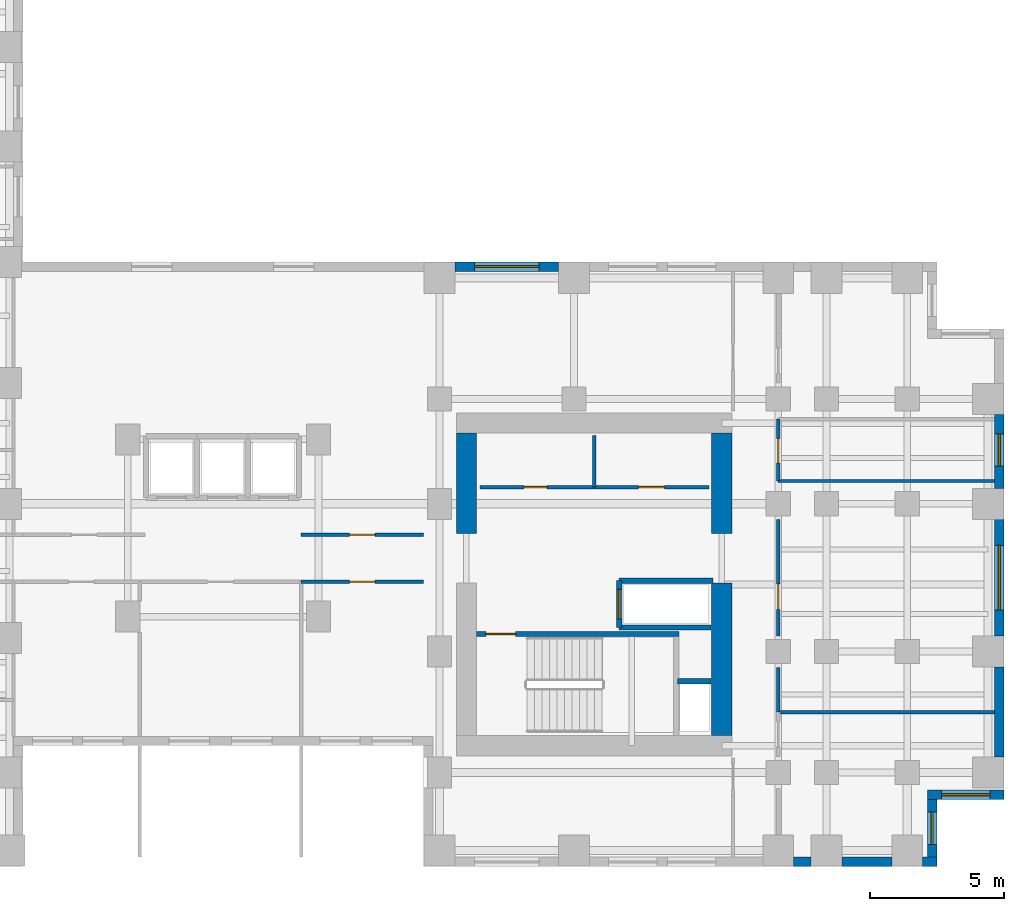
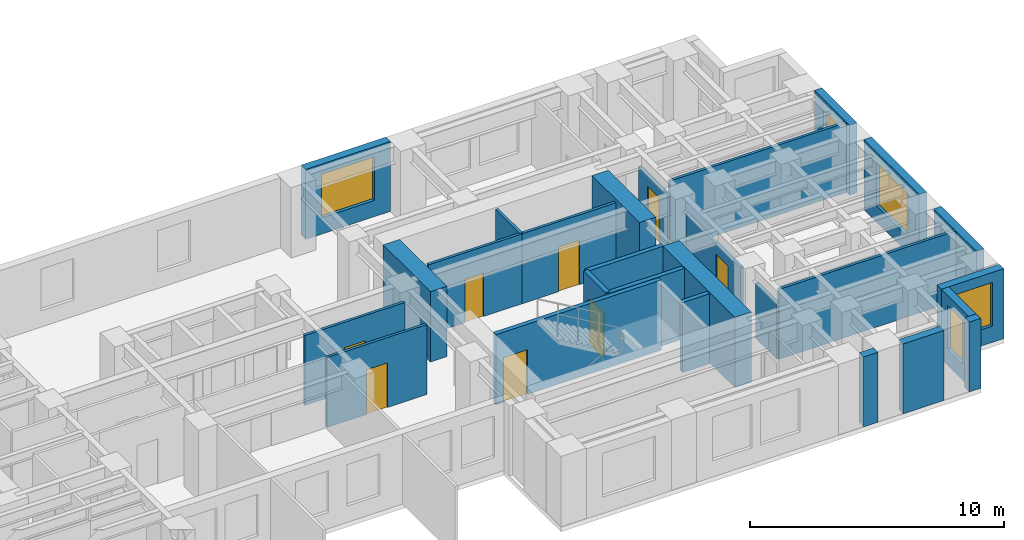
# One storey, part 7 of 11: 27 walls, 8 doors, 5 windows, 13 openings.
"""IFC4 building model written with IfcOpenShell, lengths in metres."""

import ifcopenshell
import ifcopenshell.guid

model = None  # the IFC model being written
_history = None  # IfcOwnerHistory: only IFC2X3 demands one
_inside = {}  # id of a spatial element -> (the spatial element, [elements in it])
_under = {}  # id of a project, library or spatial element -> (it, [spatial elements below it])
_declared = {}  # id of a project -> (the project, [libraries it declares])
_typed = {}  # id of a type object -> (the type object, [elements of that type])
_made_of = {}  # id of a material, layer set ... -> (it, [elements and type objects made of it])


def new_model(schema):
    """Start an empty IFC model of exactly this schema.

    Asked for "IFC4X3", IfcOpenShell would pick the latest addendum, in which some entities
    have other attributes; the version numbers below select the first issue.
    IFC2X3 requires an IfcOwnerHistory on every rooted entity: one is made here for all.
    """
    global model, _history
    if schema == "IFC4X3":
        model = ifcopenshell.file(schema_version=(4, 3, 0, 0))
    else:
        model = ifcopenshell.file(schema=schema)
    _inside.clear()
    _under.clear()
    _declared.clear()
    _typed.clear()
    _made_of.clear()
    _history = None
    if model.schema == "IFC2X3":
        org = make("IfcOrganization", Name="unknown")
        user = make(
            "IfcPersonAndOrganization",
            ThePerson=make("IfcPerson", FamilyName="unknown"),
            TheOrganization=org,
        )
        app = make(
            "IfcApplication",
            ApplicationDeveloper=org,
            Version="unknown",
            ApplicationFullName="unknown",
            ApplicationIdentifier="unknown",
        )
        _history = make(
            "IfcOwnerHistory",
            OwningUser=user,
            OwningApplication=app,
            ChangeAction="ADDED",
            CreationDate=0,
        )
    return model


def make(cls, **values):
    """One entity of the class cls with the attributes given. An attribute that is None is left unset."""
    return model.create_entity(
        cls, **{name: value for name, value in values.items() if value is not None}
    )


def rooted(cls, **values):
    """An entity with a GlobalId (a new one), such as an element, a storey or a relation."""
    return make(cls, GlobalId=ifcopenshell.guid.new(), OwnerHistory=_history, **values)


def si_unit(unit_type, name, prefix=None):
    """IfcSIUnit, for example si_unit("LENGTHUNIT", "METRE", prefix="MILLI")."""
    return make("IfcSIUnit", UnitType=unit_type, Prefix=prefix, Name=name)


def assignment(units):
    """IfcUnitAssignment: the units of a project."""
    return None if units is None else make("IfcUnitAssignment", Units=units)


def point(xyz):
    """IfcCartesianPoint."""
    return None if xyz is None else make("IfcCartesianPoint", Coordinates=xyz)


def direction(xyz):
    """IfcDirection."""
    return None if xyz is None else make("IfcDirection", DirectionRatios=xyz)


def frame(location, z_axis=None, x_axis=None):
    """IfcAxis2Placement3D, a coordinate frame: its origin and axes. An axis left out is left unset."""
    return make(
        "IfcAxis2Placement3D",
        Location=point(location),
        Axis=direction(z_axis),
        RefDirection=direction(x_axis),
    )


def frame_2d(location, x_axis=None):
    """IfcAxis2Placement2D, a coordinate frame in the plane: its origin and x axis."""
    return make(
        "IfcAxis2Placement2D", Location=point(location), RefDirection=direction(x_axis)
    )


def origin():
    """The frame at (0, 0, 0) with its axes left unset."""
    return frame((0.0, 0.0, 0.0))


def place(relative_to, where):
    """IfcLocalPlacement: puts the frame where relative to a parent placement (None: the world)."""
    return make(
        "IfcLocalPlacement", PlacementRelTo=relative_to, RelativePlacement=where
    )


def context(
    kind, dimensions, precision=None, world=None, true_north=None, identifier=None
):
    """IfcGeometricRepresentationContext, for example the 3D "Model" context."""
    return make(
        "IfcGeometricRepresentationContext",
        ContextIdentifier=identifier,
        ContextType=kind,
        CoordinateSpaceDimension=dimensions,
        Precision=precision,
        WorldCoordinateSystem=world,
        TrueNorth=true_north,
    )


def subcontext(parent, identifier, kind, view, scale=None):
    """IfcGeometricRepresentationSubContext, for example "Body" below "Model"."""
    return make(
        "IfcGeometricRepresentationSubContext",
        ContextIdentifier=identifier,
        ContextType=kind,
        ParentContext=parent,
        TargetScale=scale,
        TargetView=view,
    )


def project(units=None, contexts=None):
    """IfcProject with its units and contexts."""
    return rooted(
        "IfcProject",
        Name="project",
        RepresentationContexts=contexts,
        UnitsInContext=assignment(units),
    )


def spatial(cls, under=None, at=None, **own):
    """A site, building, storey or space (cls), placed at a placement, below another one or the project."""
    s = rooted(cls, ObjectPlacement=at, **own)
    if under is not None:
        _under.setdefault(under.id(), (under, []))[1].append(s)
    return s


def profile(cls, at=None, kind="AREA", **sizes):
    """A parametric profile (cls). Its sizes go by their IFC names, for example OverallWidth=200.0."""
    return make(cls, ProfileType=kind, Position=at, **sizes)


def rectangle(**sizes):
    """IfcRectangleProfileDef."""
    return profile("IfcRectangleProfileDef", **sizes)


def extrude(swept, where, along, depth):
    """IfcExtrudedAreaSolid: the profile swept, set in the frame where, extruded along a direction by depth."""
    return make(
        "IfcExtrudedAreaSolid",
        SweptArea=swept,
        Position=where,
        ExtrudedDirection=direction(along),
        Depth=depth,
    )


def shape(context_of_items, identifier, shape_type, items):
    """IfcShapeRepresentation: the items that make up one representation, for example the "Body"."""
    return make(
        "IfcShapeRepresentation",
        ContextOfItems=context_of_items,
        RepresentationIdentifier=identifier,
        RepresentationType=shape_type,
        Items=items,
    )


def source(mapping_origin, context_of_items, identifier, shape_type, items):
    """IfcRepresentationMap: a shape defined once, which mapped items show again and again."""
    return make(
        "IfcRepresentationMap",
        MappingOrigin=mapping_origin,
        MappedRepresentation=shape(context_of_items, identifier, shape_type, items),
    )


def transform(
    local_origin,
    x_axis=None,
    y_axis=None,
    z_axis=None,
    scale=None,
    scale2=None,
    scale3=None,
    uniform=True,
):
    """IfcCartesianTransformationOperator3D, or its non-uniform kind. x_axis, y_axis, z_axis: its Axis1, 2, 3."""
    if uniform:
        return make(
            "IfcCartesianTransformationOperator3D",
            Axis1=direction(x_axis),
            Axis2=direction(y_axis),
            LocalOrigin=point(local_origin),
            Scale=scale,
            Axis3=direction(z_axis),
        )
    return make(
        "IfcCartesianTransformationOperator3DnonUniform",
        Axis1=direction(x_axis),
        Axis2=direction(y_axis),
        LocalOrigin=point(local_origin),
        Scale=scale,
        Axis3=direction(z_axis),
        Scale2=scale2,
        Scale3=scale3,
    )


def mapped(mapping_source, mapping_target):
    """IfcMappedItem: shows the shape of a source again, moved by a transform."""
    return make(
        "IfcMappedItem", MappingSource=mapping_source, MappingTarget=mapping_target
    )


def material(Name=None, Category=None):
    """IfcMaterial."""
    return make("IfcMaterial", Name=Name, Category=Category)


def layer(
    of_material, thickness, ventilated=None, Name=None, Category=None, Priority=None
):
    """IfcMaterialLayer: one layer of a wall or slab, of a material (None: an air gap)."""
    return make(
        "IfcMaterialLayer",
        Material=of_material,
        LayerThickness=thickness,
        IsVentilated=ventilated,
        Name=Name,
        Category=Category,
        Priority=Priority,
    )


def layer_set(layers, Name=None):
    """IfcMaterialLayerSet."""
    return make("IfcMaterialLayerSet", MaterialLayers=layers, LayerSetName=Name)


def made_of(thing, what):
    """Note that an element or type object is made of a material, layer set ...; save() writes the relation."""
    if what is not None:
        _made_of.setdefault(what.id(), (what, []))[1].append(thing)
    return thing


def type_object(cls, material=None, **own):
    """A type object (cls), such as IfcWallType, which elements share."""
    return made_of(rooted(cls, **own), material)


def element(
    cls,
    number,
    at=None,
    inside=None,
    cuts=None,
    type_object=None,
    material=None,
    context=None,
    identifier="Body",
    shape_type=None,
    held_by="IfcProductDefinitionShape",
    body=None,
    shapes=None,
    **own,
):
    """One element of the class cls, such as IfcWall. Its Tag is "e" and its number.

    at: its placement. inside: the storey or other place that contains it. cuts: it is an
    opening in that element (IfcRelVoidsElement). A single representation is given by context,
    identifier, shape_type and body (its items); several are given by shapes. held_by: the class
    of the entity that holds the representations. save() writes the other relations.
    """
    e = rooted(cls, Tag="e%d" % number, ObjectPlacement=at, **own)
    if body is not None:
        shapes = [shape(context, identifier, shape_type, body)]
    if shapes is not None:
        e.Representation = make(held_by, Representations=shapes)
    if inside is not None:
        _inside.setdefault(inside.id(), (inside, []))[1].append(e)
    if cuts is not None:
        rooted(
            "IfcRelVoidsElement", RelatingBuildingElement=cuts, RelatedOpeningElement=e
        )
    if type_object is not None:
        _typed.setdefault(type_object.id(), (type_object, []))[1].append(e)
    return made_of(e, material)


def fill(opening, filler):
    """IfcRelFillsElement: the door or window that sits in an opening."""
    return rooted(
        "IfcRelFillsElement",
        RelatingOpeningElement=opening,
        RelatedBuildingElement=filler,
    )


def aggregate(whole, parts):
    """IfcRelAggregates: a whole, such as a stair, and the parts it consists of."""
    return rooted("IfcRelAggregates", RelatingObject=whole, RelatedObjects=parts)


def save(model, path):
    """Write the relations noted so far, then the file.

    IfcRelAggregates (storeys below a building ...), IfcRelContainedInSpatialStructure (elements
    in a storey), IfcRelDefinesByType, IfcRelAssociatesMaterial and IfcRelDeclares: one each for
    every whole, place, type object, material and project.
    """
    for whole, parts in _under.values():
        aggregate(whole, parts)
    for where, things in _inside.values():
        rooted(
            "IfcRelContainedInSpatialStructure",
            RelatedElements=things,
            RelatingStructure=where,
        )
    for kind, things in _typed.values():
        rooted("IfcRelDefinesByType", RelatedObjects=things, RelatingType=kind)
    for what, things in _made_of.values():
        rooted("IfcRelAssociatesMaterial", RelatedObjects=things, RelatingMaterial=what)
    for by, libraries in _declared.values():
        rooted("IfcRelDeclares", RelatingContext=by, RelatedDefinitions=libraries)
    model.write(path)


model = new_model("IFC4")

# Units and contexts
model_context = context("Model", 3, precision=1e-05, world=origin(), true_north=direction((0.0, 1.0)))
body_context = subcontext(model_context, "Body", "Model", "MODEL_VIEW")
ifc_project = project(units=[si_unit("LENGTHUNIT", "METRE"), si_unit("AREAUNIT", "SQUARE_METRE"), si_unit("VOLUMEUNIT", "CUBIC_METRE"), si_unit("PLANEANGLEUNIT", "RADIAN"), si_unit("MASSUNIT", "GRAM", prefix="KILO")], contexts=[model_context])

# Site, building, storey
site_placement = place(None, origin())
site = spatial("IfcSite", under=ifc_project, at=site_placement, CompositionType="ELEMENT")
building_placement = place(site_placement, origin())
building = spatial("IfcBuilding", under=site, at=building_placement, Name="Kharzan Plaza Tower", CompositionType="ELEMENT")
storey_placement = place(building_placement, frame((0.0, 0.0, 84.60009765625)))
storey = spatial("IfcBuildingStorey", under=building, at=storey_placement, Name="L22", CompositionType="ELEMENT", Elevation=84.60009765625)

# Wall, opening, window
ifc_material_1 = material(Name="Concrete C40/50", Category="concrete")
ifc_layer_1 = layer(ifc_material_1, 0.35009765625)
ifc_layer_set_1 = layer_set([ifc_layer_1], Name="Concrete C40/50")
wall_type_1 = type_object("IfcWallType", Name="WL-EXT-MAS-Z2", PredefinedType="SOLIDWALL", material=ifc_layer_set_1)
wall_1_placement = place(storey_placement, frame((53.324951171875, 0.347900390625, 0.0), z_axis=(0.0, 0.0, 1.0), x_axis=(0.0, 1.0, 0.0)))
wall_1 = element("IfcWall", 1, at=wall_1_placement, inside=storey, type_object=wall_type_1, Name="L22 Masonry-Frame Exterior Wall 35", PredefinedType="SOLIDWALL", context=body_context, shape_type="SweptSolid", body=[
    extrude(rectangle(XDim=2.154052734375, YDim=0.35009765625, at=frame_2d((1.0771484375, 0.0))), origin(), (0.0, 0.0, 1.0), 3.364990234375),
])
opening_1_placement = place(wall_1_placement, frame((0.47705078125, 0.0, 0.780029296875)))
opening_1 = element("IfcOpeningElement", 2, at=opening_1_placement, cuts=wall_1, Name="Opening W3", PredefinedType="OPENING", context=body_context, shape_type="SweptSolid", body=[
    extrude(rectangle(XDim=1.199951171875, YDim=2.10009765625, at=frame_2d((0.60009765625, 1.050048828125))), frame((0.0, 0.18505859375, 0.0), z_axis=(0.0, -1.0, 0.0), x_axis=(1.0, 0.0, 0.0)), (0.0, 0.0, 1.0), 0.3701171875),
])
ifc_material_2 = material(Name="Low-E Double Glazing", Category="glass")
window_type_1 = type_object("IfcWindowType", Name="WN-REC-1200x2100", PartitioningType="SINGLE_PANEL", PredefinedType="WINDOW", material=ifc_material_2)
shared_shape_1 = source(origin(), body_context, "Body", "SweptSolid", [
    extrude(rectangle(XDim=1.199951171875, YDim=2.10009765625, at=frame_2d((0.60009765625, 1.050048828125))), frame((0.0, 0.030029296875, 0.0), z_axis=(0.0, -1.0, 0.0), x_axis=(1.0, 0.0, 0.0)), (0.0, 0.0, 1.0), 0.06005859375),
])
window_1_placement = place(opening_1_placement, origin())
window_1 = element("IfcWindow", 3, at=window_1_placement, inside=storey, type_object=window_type_1, Name="L22 Recessed Solar-Control Window 35-1", OverallHeight=2.10009765625, OverallWidth=1.199951171875, PartitioningType="SINGLE_PANEL", PredefinedType="WINDOW", context=body_context, shape_type="MappedRepresentation", body=[
    mapped(shared_shape_1, transform((0.0, 0.0, 0.0), x_axis=(1.0, 0.0, 0.0), y_axis=(0.0, 1.0, 0.0), z_axis=(0.0, 0.0, 1.0))),
])
fill(opening_1, window_1)

wall_2_placement = place(storey_placement, frame((53.14990234375, 2.675048828125, 0.0), z_axis=(0.0, 0.0, 1.0), x_axis=(1.0, 0.0, 0.0)))
wall_2 = element("IfcWall", 4, at=wall_2_placement, inside=storey, type_object=wall_type_1, Name="L22 Masonry-Frame Exterior Wall 36", PredefinedType="SOLIDWALL", context=body_context, shape_type="SweptSolid", body=[
    extrude(rectangle(XDim=2.85009765625, YDim=0.35009765625, at=frame_2d((1.425048828125, 0.0))), origin(), (0.0, 0.0, 1.0), 3.364990234375),
])
opening_2_placement = place(wall_2_placement, frame((0.52490234375, 0.0, 0.780029296875)))
opening_2 = element("IfcOpeningElement", 5, at=opening_2_placement, cuts=wall_2, Name="Opening W1", PredefinedType="OPENING", context=body_context, shape_type="SweptSolid", body=[
    extrude(rectangle(XDim=1.800048828125, YDim=2.10009765625, at=frame_2d((0.89990234375, 1.050048828125))), frame((0.0, 0.18505859375, 0.0), z_axis=(0.0, -1.0, 0.0), x_axis=(1.0, 0.0, 0.0)), (0.0, 0.0, 1.0), 0.3701171875),
])
window_type_2 = type_object("IfcWindowType", Name="WN-REC-1800x2100", PartitioningType="SINGLE_PANEL", PredefinedType="WINDOW", material=ifc_material_2)
shared_shape_2 = source(origin(), body_context, "Body", "SweptSolid", [
    extrude(rectangle(XDim=1.800048828125, YDim=2.10009765625, at=frame_2d((0.89990234375, 1.050048828125))), frame((0.0, 0.030029296875, 0.0), z_axis=(0.0, -1.0, 0.0), x_axis=(1.0, 0.0, 0.0)), (0.0, 0.0, 1.0), 0.06005859375),
])
window_2_placement = place(opening_2_placement, origin())
window_2 = element("IfcWindow", 6, at=window_2_placement, inside=storey, type_object=window_type_2, Name="L22 Recessed Solar-Control Window 36-1", OverallHeight=2.10009765625, OverallWidth=1.800048828125, PartitioningType="SINGLE_PANEL", PredefinedType="WINDOW", context=body_context, shape_type="MappedRepresentation", body=[
    mapped(shared_shape_2, transform((0.0, 0.0, 0.0), x_axis=(1.0, 0.0, 0.0), y_axis=(0.0, 1.0, 0.0), z_axis=(0.0, 0.0, 1.0))),
])
fill(opening_2, window_2)

wall_3_placement = place(storey_placement, frame((55.824951171875, 8.572998046875, 0.0), z_axis=(0.0, 0.0, 1.0), x_axis=(0.0, 1.0, 0.0)))
wall_3 = element("IfcWall", 7, at=wall_3_placement, inside=storey, type_object=wall_type_1, Name="L22 Masonry-Frame Exterior Wall 38", PredefinedType="SOLIDWALL", context=body_context, shape_type="SweptSolid", body=[
    extrude(rectangle(XDim=4.35400390625, YDim=0.35009765625, at=frame_2d((2.177001953125, 0.0))), origin(), (0.0, 0.0, 1.0), 3.364990234375),
])
opening_3_placement = place(wall_3_placement, frame((0.97705078125, 0.0, 0.780029296875)))
opening_3 = element("IfcOpeningElement", 8, at=opening_3_placement, cuts=wall_3, Name="Opening W2", PredefinedType="OPENING", context=body_context, shape_type="SweptSolid", body=[
    extrude(rectangle(XDim=2.39990234375, YDim=2.10009765625, at=frame_2d((1.199951171875, 1.050048828125))), frame((0.0, 0.18505859375, 0.0), z_axis=(0.0, -1.0, 0.0), x_axis=(1.0, 0.0, 0.0)), (0.0, 0.0, 1.0), 0.3701171875),
])
window_type_3 = type_object("IfcWindowType", Name="WN-REC-2400x2100", PartitioningType="SINGLE_PANEL", PredefinedType="WINDOW", material=ifc_material_2)
shared_shape_3 = source(origin(), body_context, "Body", "SweptSolid", [
    extrude(rectangle(XDim=2.39990234375, YDim=2.10009765625, at=frame_2d((1.199951171875, 1.050048828125))), frame((0.0, 0.030029296875, 0.0), z_axis=(0.0, -1.0, 0.0), x_axis=(1.0, 0.0, 0.0)), (0.0, 0.0, 1.0), 0.06005859375),
])
window_3_placement = place(opening_3_placement, origin())
window_3 = element("IfcWindow", 9, at=window_3_placement, inside=storey, type_object=window_type_3, Name="L22 Wide Recessed Solar-Control Window 38-1", OverallHeight=2.10009765625, OverallWidth=2.39990234375, PartitioningType="SINGLE_PANEL", PredefinedType="WINDOW", context=body_context, shape_type="MappedRepresentation", body=[
    mapped(shared_shape_3, transform((0.0, 0.0, 0.0), x_axis=(1.0, 0.0, 0.0), y_axis=(0.0, 1.0, 0.0), z_axis=(0.0, 0.0, 1.0))),
])
fill(opening_3, window_3)

wall_4_placement = place(storey_placement, frame((55.824951171875, 14.072998046875, 0.0), z_axis=(0.0, 0.0, 1.0), x_axis=(0.0, 1.0, 0.0)))
wall_4 = element("IfcWall", 10, at=wall_4_placement, inside=storey, type_object=wall_type_1, Name="L22 Masonry-Frame Exterior Wall 39", PredefinedType="SOLIDWALL", context=body_context, shape_type="SweptSolid", body=[
    extrude(rectangle(XDim=2.75390625, YDim=0.35009765625, at=frame_2d((1.376953125, 0.0))), origin(), (0.0, 0.0, 1.0), 3.364990234375),
])
opening_4_placement = place(wall_4_placement, frame((0.826904296875, 0.0, 0.780029296875)))
opening_4 = element("IfcOpeningElement", 11, at=opening_4_placement, cuts=wall_4, Name="Opening W3", PredefinedType="OPENING", context=body_context, shape_type="SweptSolid", body=[
    extrude(rectangle(XDim=1.199951171875, YDim=2.10009765625, at=frame_2d((0.60009765625, 1.050048828125))), frame((0.0, 0.18505859375, 0.0), z_axis=(0.0, -1.0, 0.0), x_axis=(1.0, 0.0, 0.0)), (0.0, 0.0, 1.0), 0.3701171875),
])
window_4_placement = place(opening_4_placement, origin())
window_4 = element("IfcWindow", 12, at=window_4_placement, inside=storey, type_object=window_type_1, Name="L22 Recessed Solar-Control Window 39-1", OverallHeight=2.10009765625, OverallWidth=1.199951171875, PartitioningType="SINGLE_PANEL", PredefinedType="WINDOW", context=body_context, shape_type="MappedRepresentation", body=[
    mapped(shared_shape_1, transform((0.0, 0.0, 0.0), x_axis=(1.0, 0.0, 0.0), y_axis=(0.0, 1.0, 0.0), z_axis=(0.0, 0.0, 1.0))),
])
fill(opening_4, window_4)

wall_5_placement = place(storey_placement, frame((39.427001953125, 22.324951171875, 0.0), z_axis=(0.0, 0.0, 1.0), x_axis=(-1.0, 0.0, 0.0)))
wall_5 = element("IfcWall", 13, at=wall_5_placement, inside=storey, type_object=wall_type_1, Name="L22 Masonry-Frame Exterior Wall 47", PredefinedType="SOLIDWALL", context=body_context, shape_type="SweptSolid", body=[
    extrude(rectangle(XDim=3.85400390625, YDim=0.35009765625, at=frame_2d((1.927001953125, 0.0))), origin(), (0.0, 0.0, 1.0), 3.364990234375),
])
opening_5_placement = place(wall_5_placement, frame((0.72705078125, 0.0, 0.780029296875)))
opening_5 = element("IfcOpeningElement", 14, at=opening_5_placement, cuts=wall_5, Name="Opening W2", PredefinedType="OPENING", context=body_context, shape_type="SweptSolid", body=[
    extrude(rectangle(XDim=2.39990234375, YDim=2.10009765625, at=frame_2d((1.199951171875, 1.050048828125))), frame((0.0, 0.18505859375, 0.0), z_axis=(0.0, -1.0, 0.0), x_axis=(1.0, 0.0, 0.0)), (0.0, 0.0, 1.0), 0.3701171875),
])
window_5_placement = place(opening_5_placement, origin())
window_5 = element("IfcWindow", 15, at=window_5_placement, inside=storey, type_object=window_type_3, Name="L22 Wide Recessed Solar-Control Window 47-1", OverallHeight=2.10009765625, OverallWidth=2.39990234375, PartitioningType="SINGLE_PANEL", PredefinedType="WINDOW", context=body_context, shape_type="MappedRepresentation", body=[
    mapped(shared_shape_3, transform((0.0, 0.0, 0.0), x_axis=(1.0, 0.0, 0.0), y_axis=(0.0, 1.0, 0.0), z_axis=(0.0, 0.0, 1.0))),
])
fill(opening_5, window_5)

# Wall, opening, door
ifc_material_3 = material(Name="Fire-Rated Gypsum Board Partition", Category="gypsum")
ifc_layer_2 = layer(ifc_material_3, 0.125)
ifc_layer_set_2 = layer_set([ifc_layer_2], Name="Fire-Rated Gypsum Board Partition")
wall_type_2 = type_object("IfcWallType", Name="WL-INT-PART-125", PredefinedType="PARTITIONING", material=ifc_layer_set_2)
wall_6_placement = place(storey_placement, frame((36.5, 14.1201171875, 0.0), z_axis=(0.0, 0.0, 1.0), x_axis=(1.0, 0.0, 0.0)))
wall_6 = element("IfcWall", 16, at=wall_6_placement, inside=storey, type_object=wall_type_2, Name="L22 Interior Partition CB-RBLS1", PredefinedType="PARTITIONING", context=body_context, shape_type="SweptSolid", body=[
    extrude(rectangle(XDim=4.25, YDim=0.125, at=frame_2d((2.125, 0.0))), origin(), (0.0, 0.0, 1.0), 3.364990234375),
])
opening_6_placement = place(wall_6_placement, frame((1.64990234375, 0.0, 0.0)))
opening_6 = element("IfcOpeningElement", 17, at=opening_6_placement, cuts=wall_6, Name="Opening RD1", PredefinedType="OPENING", context=body_context, shape_type="SweptSolid", body=[
    extrude(rectangle(XDim=0.85009765625, YDim=2.10009765625, at=frame_2d((0.425048828125, 1.050048828125))), frame((0.0, 0.072509765625, 0.0), z_axis=(0.0, -1.0, 0.0), x_axis=(1.0, 0.0, 0.0)), (0.0, 0.0, 1.0), 0.14501953125),
])
ifc_material_4 = material(Name="Powder-Coated Fire-Rated Steel", Category="steel")
door_type_1 = type_object("IfcDoorType", Name="DR-RISER-900", OperationType="NOTDEFINED", PredefinedType="DOOR", material=ifc_material_4)
shared_shape_4 = source(origin(), body_context, "Body", "SweptSolid", [
    extrude(rectangle(XDim=0.85009765625, YDim=2.10009765625, at=frame_2d((0.425048828125, 1.050048828125))), frame((0.0, 0.02490234375, 0.0), z_axis=(0.0, -1.0, 0.0), x_axis=(1.0, 0.0, 0.0)), (0.0, 0.0, 1.0), 0.050048828125),
])
door_1_placement = place(opening_6_placement, origin())
door_1 = element("IfcDoor", 18, at=door_1_placement, inside=storey, type_object=door_type_1, Name="L22 Archive Room Door", OperationType="SINGLE_SWING_RIGHT", OverallHeight=2.10009765625, OverallWidth=0.85009765625, PredefinedType="DOOR", context=body_context, shape_type="MappedRepresentation", body=[
    mapped(shared_shape_4, transform((0.0, 0.0, 0.0), x_axis=(1.0, 0.0, 0.0), y_axis=(0.0, 1.0, 0.0), z_axis=(0.0, 0.0, 1.0))),
])
fill(opening_6, door_1)

wall_7_placement = place(storey_placement, frame((40.75, 14.1201171875, 0.0), z_axis=(0.0, 0.0, 1.0), x_axis=(1.0, 0.0, 0.0)))
wall_7 = element("IfcWall", 19, at=wall_7_placement, inside=storey, type_object=wall_type_2, Name="L22 Interior Partition CB-RBLS2", PredefinedType="PARTITIONING", context=body_context, shape_type="SweptSolid", body=[
    extrude(rectangle(XDim=4.27001953125, YDim=0.125, at=frame_2d((2.135009765625, 0.0))), origin(), (0.0, 0.0, 1.0), 3.364990234375),
])
opening_7_placement = place(wall_7_placement, frame((1.659912109375, 0.0, 0.0)))
opening_7 = element("IfcOpeningElement", 20, at=opening_7_placement, cuts=wall_7, Name="Opening OD1", PredefinedType="OPENING", context=body_context, shape_type="SweptSolid", body=[
    extrude(rectangle(XDim=0.949951171875, YDim=2.14990234375, at=frame_2d((0.47509765625, 1.074951171875))), frame((0.0, 0.072509765625, 0.0), z_axis=(0.0, -1.0, 0.0), x_axis=(1.0, 0.0, 0.0)), (0.0, 0.0, 1.0), 0.14501953125),
])
ifc_material_5 = material(Name="Acoustic Solid-Core Stained Oak", Category="timber")
door_type_2 = type_object("IfcDoorType", Name="DR-OFF-SINGLE", OperationType="NOTDEFINED", PredefinedType="DOOR", material=ifc_material_5)
shared_shape_5 = source(origin(), body_context, "Body", "SweptSolid", [
    extrude(rectangle(XDim=0.949951171875, YDim=2.14990234375, at=frame_2d((0.47509765625, 1.074951171875))), frame((0.0, 0.02490234375, 0.0), z_axis=(0.0, -1.0, 0.0), x_axis=(1.0, 0.0, 0.0)), (0.0, 0.0, 1.0), 0.050048828125),
])
door_2_placement = place(opening_7_placement, origin())
door_2 = element("IfcDoor", 21, at=door_2_placement, inside=storey, type_object=door_type_2, Name="L22 Print Room Door", OperationType="SINGLE_SWING_LEFT", OverallHeight=2.14990234375, OverallWidth=0.949951171875, PredefinedType="DOOR", context=body_context, shape_type="MappedRepresentation", body=[
    mapped(shared_shape_5, transform((0.0, 0.0, 0.0), x_axis=(1.0, 0.0, 0.0), y_axis=(0.0, 1.0, 0.0), z_axis=(0.0, 0.0, 1.0))),
])
fill(opening_7, door_2)

wall_8_placement = place(storey_placement, frame((47.60009765625, 8.590087890625, 0.0), z_axis=(0.0, 0.0, 1.0), x_axis=(0.0, 1.0, 0.0)))
wall_8 = element("IfcWall", 22, at=wall_8_placement, inside=storey, type_object=wall_type_2, Name="L22 Interior Partition SH-B3W1-S2", PredefinedType="PARTITIONING", context=body_context, shape_type="SweptSolid", body=[
    extrude(rectangle(XDim=4.31982421875, YDim=0.125, at=frame_2d((2.159912109375, 0.0))), origin(), (0.0, 0.0, 1.0), 2.677001953125),
])
opening_8_placement = place(wall_8_placement, frame((0.985107421875, 0.0, 0.0)))
opening_8 = element("IfcOpeningElement", 23, at=opening_8_placement, cuts=wall_8, Name="Opening OD1", PredefinedType="OPENING", context=body_context, shape_type="SweptSolid", body=[
    extrude(rectangle(XDim=0.949951171875, YDim=2.14990234375, at=frame_2d((0.47509765625, 1.074951171875))), frame((0.0, 0.072509765625, 0.0), z_axis=(0.0, -1.0, 0.0), x_axis=(1.0, 0.0, 0.0)), (0.0, 0.0, 1.0), 0.14501953125),
])
door_3_placement = place(opening_8_placement, origin())
door_3 = element("IfcDoor", 24, at=door_3_placement, inside=storey, type_object=door_type_2, Name="L22 Wing B Office 2 Door", OperationType="SINGLE_SWING_RIGHT", OverallHeight=2.14990234375, OverallWidth=0.949951171875, PredefinedType="DOOR", context=body_context, shape_type="MappedRepresentation", body=[
    mapped(shared_shape_5, transform((0.0, 0.0, 0.0), x_axis=(1.0, 0.0, 0.0), y_axis=(0.0, 1.0, 0.0), z_axis=(0.0, 0.0, 1.0))),
])
fill(opening_8, door_3)

wall_9_placement = place(storey_placement, frame((47.60009765625, 14.35009765625, 0.0), z_axis=(0.0, 0.0, 1.0), x_axis=(0.0, 1.0, 0.0)))
wall_9 = element("IfcWall", 25, at=wall_9_placement, inside=storey, type_object=wall_type_2, Name="L22 Interior Partition SH-B3WC", PredefinedType="PARTITIONING", context=body_context, shape_type="SweptSolid", body=[
    extrude(rectangle(XDim=2.2998046875, YDim=0.125, at=frame_2d((1.14990234375, 0.0))), origin(), (0.0, 0.0, 1.0), 2.677001953125),
])
opening_9_placement = place(wall_9_placement, frame((0.675048828125, 0.0, 0.0)))
opening_9 = element("IfcOpeningElement", 26, at=opening_9_placement, cuts=wall_9, Name="Opening WD1", PredefinedType="OPENING", context=body_context, shape_type="SweptSolid", body=[
    extrude(rectangle(XDim=0.89990234375, YDim=2.14990234375, at=frame_2d((0.449951171875, 1.074951171875))), frame((0.0, 0.072509765625, 0.0), z_axis=(0.0, -1.0, 0.0), x_axis=(1.0, 0.0, 0.0)), (0.0, 0.0, 1.0), 0.14501953125),
])
ifc_material_6 = material(Name="Moisture-Resistant Fire-Rated Laminate", Category="timber")
door_type_3 = type_object("IfcDoorType", Name="DR-WC-900", OperationType="NOTDEFINED", PredefinedType="DOOR", material=ifc_material_6)
shared_shape_6 = source(origin(), body_context, "Body", "SweptSolid", [
    extrude(rectangle(XDim=0.89990234375, YDim=2.14990234375, at=frame_2d((0.449951171875, 1.074951171875))), frame((0.0, 0.02490234375, 0.0), z_axis=(0.0, -1.0, 0.0), x_axis=(1.0, 0.0, 0.0)), (0.0, 0.0, 1.0), 0.050048828125),
])
door_4_placement = place(opening_9_placement, origin())
door_4 = element("IfcDoor", 27, at=door_4_placement, inside=storey, type_object=door_type_3, Name="L22 Wing B Washroom Door", OperationType="SINGLE_SWING_LEFT", OverallHeight=2.14990234375, OverallWidth=0.89990234375, PredefinedType="DOOR", context=body_context, shape_type="MappedRepresentation", body=[
    mapped(shared_shape_6, transform((0.0, 0.0, 0.0), x_axis=(1.0, 0.0, 0.0), y_axis=(0.0, 1.0, 0.0), z_axis=(0.0, 0.0, 1.0))),
])
fill(opening_9, door_4)

wall_10_placement = place(storey_placement, frame((29.85009765625, 12.35009765625, 0.0), z_axis=(0.0, 0.0, 1.0), x_axis=(1.0, 0.0, 0.0)))
wall_10 = element("IfcWall", 28, at=wall_10_placement, inside=storey, type_object=wall_type_2, Name="L22 Interior Partition SH-SPNE1", PredefinedType="PARTITIONING", context=body_context, shape_type="SweptSolid", body=[
    extrude(rectangle(XDim=4.5498046875, YDim=0.125, at=frame_2d((2.27490234375, 0.0))), origin(), (0.0, 0.0, 1.0), 3.364990234375),
])
opening_10_placement = place(wall_10_placement, frame((1.800048828125, 0.0, 0.0)))
opening_10 = element("IfcOpeningElement", 29, at=opening_10_placement, cuts=wall_10, Name="Opening OD1", PredefinedType="OPENING", context=body_context, shape_type="SweptSolid", body=[
    extrude(rectangle(XDim=0.949951171875, YDim=2.14990234375, at=frame_2d((0.47509765625, 1.074951171875))), frame((0.0, 0.072509765625, 0.0), z_axis=(0.0, -1.0, 0.0), x_axis=(1.0, 0.0, 0.0)), (0.0, 0.0, 1.0), 0.14501953125),
])
door_5_placement = place(opening_10_placement, origin())
door_5 = element("IfcDoor", 30, at=door_5_placement, inside=storey, type_object=door_type_2, Name="L22 North-East Spine Door", OperationType="SINGLE_SWING_RIGHT", OverallHeight=2.14990234375, OverallWidth=0.949951171875, PredefinedType="DOOR", context=body_context, shape_type="MappedRepresentation", body=[
    mapped(shared_shape_5, transform((0.0, 0.0, 0.0), x_axis=(1.0, 0.0, 0.0), y_axis=(0.0, 1.0, 0.0), z_axis=(0.0, 0.0, 1.0))),
])
fill(opening_10, door_5)

wall_11_placement = place(storey_placement, frame((29.85009765625, 10.60009765625, 0.0), z_axis=(0.0, 0.0, 1.0), x_axis=(1.0, 0.0, 0.0)))
wall_11 = element("IfcWall", 31, at=wall_11_placement, inside=storey, type_object=wall_type_2, Name="L22 Interior Partition SH-SPS3", PredefinedType="PARTITIONING", context=body_context, shape_type="SweptSolid", body=[
    extrude(rectangle(XDim=4.5498046875, YDim=0.125, at=frame_2d((2.27490234375, 0.0))), origin(), (0.0, 0.0, 1.0), 3.364990234375),
])
opening_11_placement = place(wall_11_placement, frame((1.800048828125, 0.0, 0.0)))
opening_11 = element("IfcOpeningElement", 32, at=opening_11_placement, cuts=wall_11, Name="Opening OD1", PredefinedType="OPENING", context=body_context, shape_type="SweptSolid", body=[
    extrude(rectangle(XDim=0.949951171875, YDim=2.14990234375, at=frame_2d((0.47509765625, 1.074951171875))), frame((0.0, 0.072509765625, 0.0), z_axis=(0.0, -1.0, 0.0), x_axis=(1.0, 0.0, 0.0)), (0.0, 0.0, 1.0), 0.14501953125),
])
door_6_placement = place(opening_11_placement, origin())
door_6 = element("IfcDoor", 33, at=door_6_placement, inside=storey, type_object=door_type_2, Name="L22 Spine Studio 3 Door", OperationType="SINGLE_SWING_RIGHT", OverallHeight=2.14990234375, OverallWidth=0.949951171875, PredefinedType="DOOR", context=body_context, shape_type="MappedRepresentation", body=[
    mapped(shared_shape_5, transform((0.0, 0.0, 0.0), x_axis=(1.0, 0.0, 0.0), y_axis=(0.0, 1.0, 0.0), z_axis=(0.0, 0.0, 1.0))),
])
fill(opening_11, door_6)

ifc_layer_3 = layer(ifc_material_1, 0.199951171875)
ifc_layer_set_3 = layer_set([ifc_layer_3], Name="Concrete C40/50")
wall_type_3 = type_object("IfcWallType", Name="WL-INT-SHAFT-200", PredefinedType="PARTITIONING", material=ifc_layer_set_3)
wall_12_placement = place(storey_placement, frame((41.679931640625, 8.89990234375, 0.0), z_axis=(0.0, 0.0, 1.0), x_axis=(0.0, 1.0, 0.0)))
wall_12 = element("IfcWall", 34, at=wall_12_placement, inside=storey, type_object=wall_type_3, Name="L22 Interior Partition SHF-SVL-2-W", PredefinedType="PARTITIONING", context=body_context, shape_type="SweptSolid", body=[
    extrude(rectangle(XDim=1.739990234375, YDim=0.199951171875, at=frame_2d((0.8701171875, 0.0))), origin(), (0.0, 0.0, 1.0), 3.364990234375),
])
opening_12_placement = place(wall_12_placement, frame((0.320068359375, 0.0, 0.0)))
opening_12 = element("IfcOpeningElement", 35, at=opening_12_placement, cuts=wall_12, Name="Opening LD", PredefinedType="OPENING", context=body_context, shape_type="SweptSolid", body=[
    extrude(rectangle(XDim=1.10009765625, YDim=2.199951171875, at=frame_2d((0.550048828125, 1.10009765625))), frame((0.0, 0.10986328125, 0.0), z_axis=(0.0, -1.0, 0.0), x_axis=(1.0, 0.0, 0.0)), (0.0, 0.0, 1.0), 0.219970703125),
])
ifc_material_7 = material(Name="Brushed Stainless Steel", Category="steel")
door_type_4 = type_object("IfcDoorType", Name="DR-LIFT-SLIDE", OperationType="SLIDING_TO_LEFT", PredefinedType="DOOR", material=ifc_material_7)
shared_shape_7 = source(origin(), body_context, "Body", "SweptSolid", [
    extrude(rectangle(XDim=1.10009765625, YDim=2.199951171875, at=frame_2d((0.550048828125, 1.10009765625))), frame((0.0, 0.02490234375, 0.0), z_axis=(0.0, -1.0, 0.0), x_axis=(1.0, 0.0, 0.0)), (0.0, 0.0, 1.0), 0.050048828125),
])
door_7_placement = place(opening_12_placement, origin())
door_7 = element("IfcDoor", 36, at=door_7_placement, inside=storey, type_object=door_type_4, Name="L22 Service Lift SVL-2 Sliding Landing Door", OperationType="SLIDING_TO_LEFT", OverallHeight=2.199951171875, OverallWidth=1.10009765625, PredefinedType="DOOR", context=body_context, shape_type="MappedRepresentation", body=[
    mapped(shared_shape_7, transform((0.0, 0.0, 0.0), x_axis=(1.0, 0.0, 0.0), y_axis=(0.0, 1.0, 0.0), z_axis=(0.0, 0.0, 1.0))),
])
fill(opening_12, door_7)

ifc_material_8 = material(Name="Concrete C50/60", Category="concrete")
ifc_layer_4 = layer(ifc_material_8, 0.199951171875)
ifc_layer_set_4 = layer_set([ifc_layer_4], Name="Concrete C50/60")
wall_type_4 = type_object("IfcWallType", Name="WL-SHAFT-RC200", PredefinedType="SHEAR", material=ifc_layer_set_4)
wall_13_placement = place(storey_placement, frame((36.376953125, 8.655029296875, 0.0), z_axis=(0.0, 0.0, 1.0), x_axis=(1.0, 0.0, 0.0)))
wall_13 = element("IfcWall", 37, at=wall_13_placement, inside=storey, type_object=wall_type_4, Name="L22 Stair ST-3 North RC Shaft Wall", PredefinedType="SHEAR", context=body_context, shape_type="SweptSolid", body=[
    extrude(rectangle(XDim=7.528076171875, YDim=0.199951171875, at=frame_2d((3.76416015625, 0.0))), origin(), (0.0, 0.0, 1.0), 3.3798828125),
])
opening_13_placement = place(wall_13_placement, frame((0.35009765625, 0.0, 0.0)))
opening_13 = element("IfcOpeningElement", 38, at=opening_13_placement, cuts=wall_13, Name="Opening SD1", PredefinedType="OPENING", context=body_context, shape_type="SweptSolid", body=[
    extrude(rectangle(XDim=1.10009765625, YDim=2.14990234375, at=frame_2d((0.550048828125, 1.074951171875))), frame((0.0, 0.10986328125, 0.0), z_axis=(0.0, -1.0, 0.0), x_axis=(1.0, 0.0, 0.0)), (0.0, 0.0, 1.0), 0.219970703125),
])
ifc_material_9 = material(Name="Fire-Rated Hollow Galvanized Steel", Category="steel")
door_type_5 = type_object("IfcDoorType", Name="DR-STAIR-FD120", OperationType="NOTDEFINED", PredefinedType="DOOR", material=ifc_material_9)
shared_shape_8 = source(origin(), body_context, "Body", "SweptSolid", [
    extrude(rectangle(XDim=1.10009765625, YDim=2.14990234375, at=frame_2d((0.550048828125, 1.074951171875))), frame((0.0, 0.02490234375, 0.0), z_axis=(0.0, -1.0, 0.0), x_axis=(1.0, 0.0, 0.0)), (0.0, 0.0, 1.0), 0.050048828125),
])
door_8_placement = place(opening_13_placement, origin())
door_8 = element("IfcDoor", 39, at=door_8_placement, inside=storey, type_object=door_type_5, Name="L22 Stair ST-3 Fire Exit Door", OperationType="SINGLE_SWING_LEFT", OverallHeight=2.14990234375, OverallWidth=1.10009765625, PredefinedType="DOOR", context=body_context, shape_type="MappedRepresentation", body=[
    mapped(shared_shape_8, transform((0.0, 0.0, 0.0), x_axis=(1.0, 0.0, 0.0), y_axis=(0.0, 1.0, 0.0), z_axis=(0.0, 0.0, 1.0))),
])
fill(opening_13, door_8)

# Walls
shared_shape_9 = source(origin(), body_context, "Body", "SweptSolid", [
    extrude(rectangle(XDim=3.489990234375, YDim=0.199951171875, at=frame_2d((1.7451171875, 0.0))), origin(), (0.0, 0.0, 1.0), 3.364990234375),
])
wall_14_placement = place(storey_placement, frame((41.679931640625, 10.639892578125, 0.0), z_axis=(0.0, 0.0, 1.0), x_axis=(1.0, 0.0, 0.0)))
element("IfcWall", 40, at=wall_14_placement, inside=storey, type_object=wall_type_3, Name="L22 Interior Partition SHF-SVL-2-N", PredefinedType="PARTITIONING", context=body_context, shape_type="MappedRepresentation", body=[
    mapped(shared_shape_9, transform((0.0, 0.0, 0.0), x_axis=(1.0, 0.0, 0.0), y_axis=(0.0, 1.0, 0.0), z_axis=(0.0, 0.0, 1.0))),
])
shared_shape_10 = source(origin(), body_context, "Body", "SweptSolid", [
    extrude(rectangle(XDim=0.65380859375, YDim=0.35009765625, at=frame_2d((0.326904296875, 0.0))), origin(), (0.0, 0.0, 1.0), 3.364990234375),
])
wall_15_placement = place(storey_placement, frame((48.173095703125, 0.175048828125, 0.0), z_axis=(0.0, 0.0, 1.0), x_axis=(1.0, 0.0, 0.0)))
element("IfcWall", 41, at=wall_15_placement, inside=storey, type_object=wall_type_1, Name="L22 Masonry-Frame Exterior Wall 32", PredefinedType="SOLIDWALL", context=body_context, shape_type="MappedRepresentation", body=[
    mapped(shared_shape_10, transform((0.0, 0.0, 0.0), x_axis=(1.0, 0.0, 0.0), y_axis=(0.0, 1.0, 0.0), z_axis=(0.0, 0.0, 1.0))),
])
shared_shape_11 = source(origin(), body_context, "Body", "SweptSolid", [
    extrude(rectangle(XDim=1.85400390625, YDim=0.35009765625, at=frame_2d((0.927001953125, 0.0))), origin(), (0.0, 0.0, 1.0), 3.364990234375),
])
wall_16_placement = place(storey_placement, frame((49.972900390625, 0.175048828125, 0.0), z_axis=(0.0, 0.0, 1.0), x_axis=(1.0, 0.0, 0.0)))
element("IfcWall", 42, at=wall_16_placement, inside=storey, type_object=wall_type_1, Name="L22 Masonry-Frame Exterior Wall 33", PredefinedType="SOLIDWALL", context=body_context, shape_type="MappedRepresentation", body=[
    mapped(shared_shape_11, transform((0.0, 0.0, 0.0), x_axis=(1.0, 0.0, 0.0), y_axis=(0.0, 1.0, 0.0), z_axis=(0.0, 0.0, 1.0))),
])
shared_shape_12 = source(origin(), body_context, "Body", "SweptSolid", [
    extrude(rectangle(XDim=0.527099609375, YDim=0.35009765625, at=frame_2d((0.263671875, 0.0))), origin(), (0.0, 0.0, 1.0), 3.364990234375),
])
wall_17_placement = place(storey_placement, frame((52.972900390625, 0.175048828125, 0.0), z_axis=(0.0, 0.0, 1.0), x_axis=(1.0, 0.0, 0.0)))
element("IfcWall", 43, at=wall_17_placement, inside=storey, type_object=wall_type_1, Name="L22 Masonry-Frame Exterior Wall 34", PredefinedType="SOLIDWALL", context=body_context, shape_type="MappedRepresentation", body=[
    mapped(shared_shape_12, transform((0.0, 0.0, 0.0), x_axis=(1.0, 0.0, 0.0), y_axis=(0.0, 1.0, 0.0), z_axis=(0.0, 0.0, 1.0))),
])
shared_shape_13 = source(origin(), body_context, "Body", "SweptSolid", [
    extrude(rectangle(XDim=3.35400390625, YDim=0.35009765625, at=frame_2d((1.677001953125, 0.0))), origin(), (0.0, 0.0, 1.0), 3.364990234375),
])
wall_18_placement = place(storey_placement, frame((55.824951171875, 4.072998046875, 0.0), z_axis=(0.0, 0.0, 1.0), x_axis=(0.0, 1.0, 0.0)))
element("IfcWall", 44, at=wall_18_placement, inside=storey, type_object=wall_type_1, Name="L22 Masonry-Frame Exterior Wall 37", PredefinedType="SOLIDWALL", context=body_context, shape_type="MappedRepresentation", body=[
    mapped(shared_shape_13, transform((0.0, 0.0, 0.0), x_axis=(1.0, 0.0, 0.0), y_axis=(0.0, 1.0, 0.0), z_axis=(0.0, 0.0, 1.0))),
])
shared_shape_14 = source(origin(), body_context, "Body", "SweptSolid", [
    extrude(rectangle(XDim=8.0478515625, YDim=0.125, at=frame_2d((4.02392578125, 0.0))), origin(), (0.0, 0.0, 1.0), 3.364990234375),
])
for number, where, z_axis, x_axis, name in (
    (45, (47.60009765625, 14.35009765625, 0.0), (0.0, 0.0, 1.0), (1.0, 0.0, 0.0), "L22 Interior Partition SH-B3H-143"),
    (46, (47.60009765625, 5.75, 0.0), (0.0, 0.0, 1.0), (1.0, 0.0, 0.0), "L22 Interior Partition SH-B3H-57"),
):
    element("IfcWall", number, at=place(storey_placement, frame(where, z_axis=z_axis, x_axis=x_axis)), inside=storey, type_object=wall_type_2, Name=name, PredefinedType="PARTITIONING", context=body_context, shape_type="MappedRepresentation", body=[
        mapped(shared_shape_14, transform((0.0, 0.0, 0.0), x_axis=(1.0, 0.0, 0.0), y_axis=(0.0, 1.0, 0.0), z_axis=(0.0, 0.0, 1.0))),
    ])
shared_shape_15 = source(origin(), body_context, "Body", "SweptSolid", [
    extrude(rectangle(XDim=1.244873046875, YDim=0.199951171875, at=frame_2d((0.62255859375, 0.0))), origin(), (0.0, 0.0, 1.0), 3.364990234375),
])
wall_19_placement = place(storey_placement, frame((43.85009765625, 6.89990234375, 0.0), z_axis=(0.0, 0.0, 1.0), x_axis=(1.0, 0.0, 0.0)))
element("IfcWall", 47, at=wall_19_placement, inside=storey, type_object=wall_type_3, Name="L22 Interior Partition CB-RSRB-N", PredefinedType="PARTITIONING", context=body_context, shape_type="MappedRepresentation", body=[
    mapped(shared_shape_15, transform((0.0, 0.0, 0.0), x_axis=(1.0, 0.0, 0.0), y_axis=(0.0, 1.0, 0.0), z_axis=(0.0, 0.0, 1.0))),
])
shared_shape_16 = source(origin(), body_context, "Body", "SweptSolid", [
    extrude(rectangle(XDim=3.4150390625, YDim=0.199951171875, at=frame_2d((1.70751953125, 0.0))), origin(), (0.0, 0.0, 1.0), 3.364990234375),
])
wall_20_placement = place(storey_placement, frame((41.679931640625, 8.89990234375, 0.0), z_axis=(0.0, 0.0, 1.0), x_axis=(1.0, 0.0, 0.0)))
element("IfcWall", 48, at=wall_20_placement, inside=storey, type_object=wall_type_3, Name="L22 Interior Partition SHF-SVL-2-S", PredefinedType="PARTITIONING", context=body_context, shape_type="MappedRepresentation", body=[
    mapped(shared_shape_16, transform((0.0, 0.0, 0.0), x_axis=(1.0, 0.0, 0.0), y_axis=(0.0, 1.0, 0.0), z_axis=(0.0, 0.0, 1.0))),
])
ifc_material_10 = material(Name="Concrete C60/75", Category="concrete")
ifc_layer_5 = layer(ifc_material_10, 0.75)
ifc_layer_set_5 = layer_set([ifc_layer_5], Name="Concrete C60/75")
wall_type_5 = type_object("IfcWallType", Name="WL-CORE-750", PredefinedType="SHEAR", material=ifc_layer_set_5)
shared_shape_17 = source(origin(), body_context, "Body", "SweptSolid", [
    extrude(rectangle(XDim=5.675048828125, YDim=0.75, at=frame_2d((2.83740234375, 0.0))), origin(), (0.0, 0.0, 1.0), 3.3798828125),
])
wall_21_placement = place(storey_placement, frame((45.5, 4.875, 0.0), z_axis=(0.0, 0.0, 1.0), x_axis=(0.0, 1.0, 0.0)))
element("IfcWall", 49, at=wall_21_placement, inside=storey, type_object=wall_type_5, Name="L22 CORE-B east shear pier 1", PredefinedType="SHEAR", context=body_context, shape_type="MappedRepresentation", body=[
    mapped(shared_shape_17, transform((0.0, 0.0, 0.0), x_axis=(1.0, 0.0, 0.0), y_axis=(0.0, 1.0, 0.0), z_axis=(0.0, 0.0, 1.0))),
])
shared_shape_18 = source(origin(), body_context, "Body", "SweptSolid", [
    extrude(rectangle(XDim=3.72509765625, YDim=0.75, at=frame_2d((1.862548828125, 0.0))), origin(), (0.0, 0.0, 1.0), 3.3798828125),
])
for number, where, z_axis, x_axis, name in (
    (50, (45.5, 12.39990234375, 0.0), (0.0, 0.0, 1.0), (0.0, 1.0, 0.0), "L22 CORE-B east shear pier 2"),
    (51, (36.0, 12.39990234375, 0.0), (0.0, 0.0, 1.0), (0.0, 1.0, 0.0), "L22 CORE-B west shear pier 2"),
):
    element("IfcWall", number, at=place(storey_placement, frame(where, z_axis=z_axis, x_axis=x_axis)), inside=storey, type_object=wall_type_5, Name=name, PredefinedType="SHEAR", context=body_context, shape_type="MappedRepresentation", body=[
        mapped(shared_shape_18, transform((0.0, 0.0, 0.0), x_axis=(1.0, 0.0, 0.0), y_axis=(0.0, 1.0, 0.0), z_axis=(0.0, 0.0, 1.0))),
    ])
shared_shape_19 = source(origin(), body_context, "Body", "SweptSolid", [
    extrude(rectangle(XDim=1.929931640625, YDim=0.125, at=frame_2d((0.96484375, 0.0))), origin(), (0.0, 0.0, 1.0), 3.364990234375),
])
wall_22_placement = place(storey_placement, frame((40.75, 14.1201171875, 0.0), z_axis=(0.0, 0.0, 1.0), x_axis=(0.0, 1.0, 0.0)))
element("IfcWall", 52, at=wall_22_placement, inside=storey, type_object=wall_type_2, Name="L22 Interior Partition CB-RBLM1", PredefinedType="PARTITIONING", context=body_context, shape_type="MappedRepresentation", body=[
    mapped(shared_shape_19, transform((0.0, 0.0, 0.0), x_axis=(1.0, 0.0, 0.0), y_axis=(0.0, 1.0, 0.0), z_axis=(0.0, 0.0, 1.0))),
])
shared_shape_20 = source(origin(), body_context, "Body", "SweptSolid", [
    extrude(rectangle(XDim=1.659912109375, YDim=0.125, at=frame_2d((0.830078125, 0.0))), origin(), (0.0, 0.0, 1.0), 2.677001953125),
])
wall_23_placement = place(storey_placement, frame((47.60009765625, 5.75, 0.0), z_axis=(0.0, 0.0, 1.0), x_axis=(0.0, 1.0, 0.0)))
element("IfcWall", 53, at=wall_23_placement, inside=storey, type_object=wall_type_2, Name="L22 Interior Partition SH-B3W1-S1", PredefinedType="PARTITIONING", context=body_context, shape_type="MappedRepresentation", body=[
    mapped(shared_shape_20, transform((0.0, 0.0, 0.0), x_axis=(1.0, 0.0, 0.0), y_axis=(0.0, 1.0, 0.0), z_axis=(0.0, 0.0, 1.0))),
])

save(model, "model.ifc")
